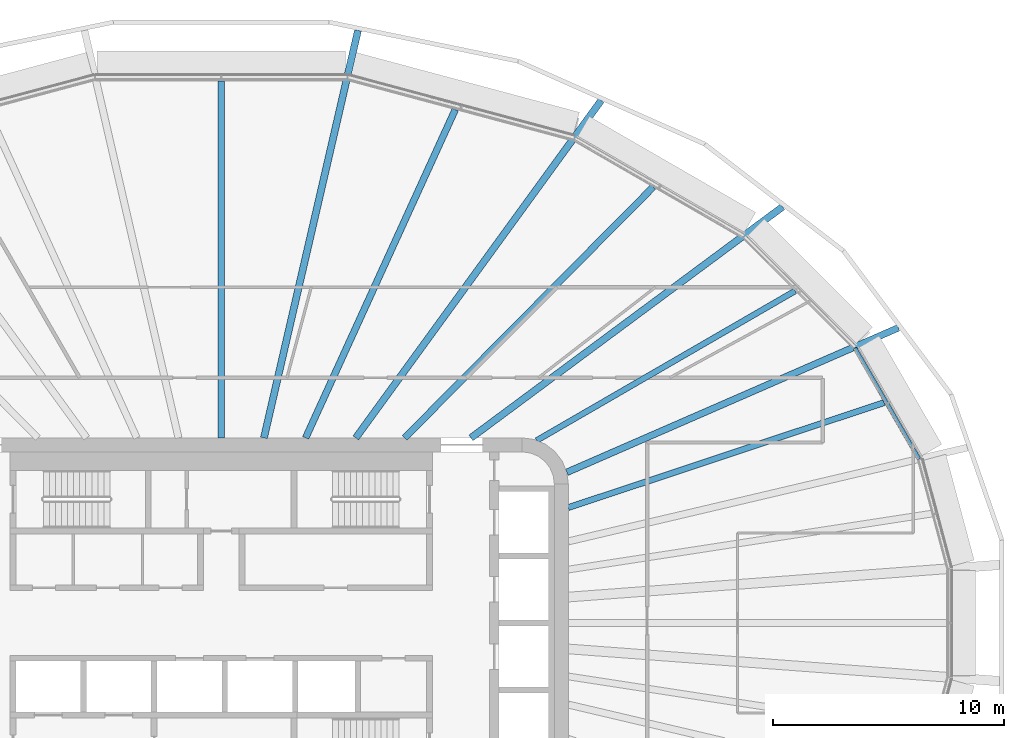
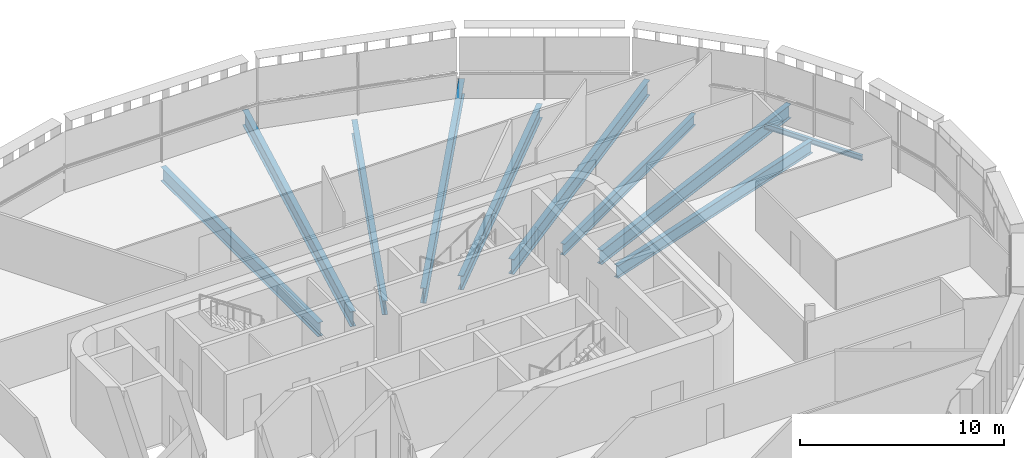
# One storey, part 9 of 25: 10 beams.
"""IFC4 building model written with IfcOpenShell, lengths in metres."""

import ifcopenshell
import ifcopenshell.guid

model = None  # the IFC model being written
_history = None  # IfcOwnerHistory: only IFC2X3 demands one
_inside = {}  # id of a spatial element -> (the spatial element, [elements in it])
_under = {}  # id of a project, library or spatial element -> (it, [spatial elements below it])
_declared = {}  # id of a project -> (the project, [libraries it declares])
_typed = {}  # id of a type object -> (the type object, [elements of that type])
_made_of = {}  # id of a material, layer set ... -> (it, [elements and type objects made of it])


def new_model(schema):
    """Start an empty IFC model of exactly this schema.

    Asked for "IFC4X3", IfcOpenShell would pick the latest addendum, in which some entities
    have other attributes; the version numbers below select the first issue.
    IFC2X3 requires an IfcOwnerHistory on every rooted entity: one is made here for all.
    """
    global model, _history
    if schema == "IFC4X3":
        model = ifcopenshell.file(schema_version=(4, 3, 0, 0))
    else:
        model = ifcopenshell.file(schema=schema)
    _inside.clear()
    _under.clear()
    _declared.clear()
    _typed.clear()
    _made_of.clear()
    _history = None
    if model.schema == "IFC2X3":
        org = make("IfcOrganization", Name="unknown")
        user = make(
            "IfcPersonAndOrganization",
            ThePerson=make("IfcPerson", FamilyName="unknown"),
            TheOrganization=org,
        )
        app = make(
            "IfcApplication",
            ApplicationDeveloper=org,
            Version="unknown",
            ApplicationFullName="unknown",
            ApplicationIdentifier="unknown",
        )
        _history = make(
            "IfcOwnerHistory",
            OwningUser=user,
            OwningApplication=app,
            ChangeAction="ADDED",
            CreationDate=0,
        )
    return model


def make(cls, **values):
    """One entity of the class cls with the attributes given. An attribute that is None is left unset."""
    return model.create_entity(
        cls, **{name: value for name, value in values.items() if value is not None}
    )


def rooted(cls, **values):
    """An entity with a GlobalId (a new one), such as an element, a storey or a relation."""
    return make(cls, GlobalId=ifcopenshell.guid.new(), OwnerHistory=_history, **values)


def si_unit(unit_type, name, prefix=None):
    """IfcSIUnit, for example si_unit("LENGTHUNIT", "METRE", prefix="MILLI")."""
    return make("IfcSIUnit", UnitType=unit_type, Prefix=prefix, Name=name)


def assignment(units):
    """IfcUnitAssignment: the units of a project."""
    return None if units is None else make("IfcUnitAssignment", Units=units)


def point(xyz):
    """IfcCartesianPoint."""
    return None if xyz is None else make("IfcCartesianPoint", Coordinates=xyz)


def direction(xyz):
    """IfcDirection."""
    return None if xyz is None else make("IfcDirection", DirectionRatios=xyz)


def frame(location, z_axis=None, x_axis=None):
    """IfcAxis2Placement3D, a coordinate frame: its origin and axes. An axis left out is left unset."""
    return make(
        "IfcAxis2Placement3D",
        Location=point(location),
        Axis=direction(z_axis),
        RefDirection=direction(x_axis),
    )


def frame_2d(location, x_axis=None):
    """IfcAxis2Placement2D, a coordinate frame in the plane: its origin and x axis."""
    return make(
        "IfcAxis2Placement2D", Location=point(location), RefDirection=direction(x_axis)
    )


def origin():
    """The frame at (0, 0, 0) with its axes left unset."""
    return frame((0.0, 0.0, 0.0))


def origin_2d():
    """The frame at (0, 0) in the plane with its x axis left unset."""
    return frame_2d((0.0, 0.0))


def place(relative_to, where):
    """IfcLocalPlacement: puts the frame where relative to a parent placement (None: the world)."""
    return make(
        "IfcLocalPlacement", PlacementRelTo=relative_to, RelativePlacement=where
    )


def context(
    kind, dimensions, precision=None, world=None, true_north=None, identifier=None
):
    """IfcGeometricRepresentationContext, for example the 3D "Model" context."""
    return make(
        "IfcGeometricRepresentationContext",
        ContextIdentifier=identifier,
        ContextType=kind,
        CoordinateSpaceDimension=dimensions,
        Precision=precision,
        WorldCoordinateSystem=world,
        TrueNorth=true_north,
    )


def subcontext(parent, identifier, kind, view, scale=None):
    """IfcGeometricRepresentationSubContext, for example "Body" below "Model"."""
    return make(
        "IfcGeometricRepresentationSubContext",
        ContextIdentifier=identifier,
        ContextType=kind,
        ParentContext=parent,
        TargetScale=scale,
        TargetView=view,
    )


def project(units=None, contexts=None):
    """IfcProject with its units and contexts."""
    return rooted(
        "IfcProject",
        Name="project",
        RepresentationContexts=contexts,
        UnitsInContext=assignment(units),
    )


def spatial(cls, under=None, at=None, **own):
    """A site, building, storey or space (cls), placed at a placement, below another one or the project."""
    s = rooted(cls, ObjectPlacement=at, **own)
    if under is not None:
        _under.setdefault(under.id(), (under, []))[1].append(s)
    return s


def profile(cls, at=None, kind="AREA", **sizes):
    """A parametric profile (cls). Its sizes go by their IFC names, for example OverallWidth=200.0."""
    return make(cls, ProfileType=kind, Position=at, **sizes)


def i_section(**sizes):
    """IfcIShapeProfileDef."""
    return profile("IfcIShapeProfileDef", **sizes)


def extrude(swept, where, along, depth):
    """IfcExtrudedAreaSolid: the profile swept, set in the frame where, extruded along a direction by depth."""
    return make(
        "IfcExtrudedAreaSolid",
        SweptArea=swept,
        Position=where,
        ExtrudedDirection=direction(along),
        Depth=depth,
    )


def shape(context_of_items, identifier, shape_type, items):
    """IfcShapeRepresentation: the items that make up one representation, for example the "Body"."""
    return make(
        "IfcShapeRepresentation",
        ContextOfItems=context_of_items,
        RepresentationIdentifier=identifier,
        RepresentationType=shape_type,
        Items=items,
    )


def material(Name=None, Category=None):
    """IfcMaterial."""
    return make("IfcMaterial", Name=Name, Category=Category)


def material_profile(
    of_material, cross_section, Name=None, Category=None, Priority=None
):
    """IfcMaterialProfile: a cross section and its material."""
    return make(
        "IfcMaterialProfile",
        Name=Name,
        Material=of_material,
        Profile=cross_section,
        Priority=Priority,
        Category=Category,
    )


def profile_set(profiles, Name=None, composite=None):
    """IfcMaterialProfileSet."""
    return make(
        "IfcMaterialProfileSet",
        Name=Name,
        MaterialProfiles=profiles,
        CompositeProfile=composite,
    )


def made_of(thing, what):
    """Note that an element or type object is made of a material, layer set ...; save() writes the relation."""
    if what is not None:
        _made_of.setdefault(what.id(), (what, []))[1].append(thing)
    return thing


def type_object(cls, material=None, **own):
    """A type object (cls), such as IfcWallType, which elements share."""
    return made_of(rooted(cls, **own), material)


def element(
    cls,
    number,
    at=None,
    inside=None,
    cuts=None,
    type_object=None,
    material=None,
    context=None,
    identifier="Body",
    shape_type=None,
    held_by="IfcProductDefinitionShape",
    body=None,
    shapes=None,
    **own,
):
    """One element of the class cls, such as IfcWall. Its Tag is "e" and its number.

    at: its placement. inside: the storey or other place that contains it. cuts: it is an
    opening in that element (IfcRelVoidsElement). A single representation is given by context,
    identifier, shape_type and body (its items); several are given by shapes. held_by: the class
    of the entity that holds the representations. save() writes the other relations.
    """
    e = rooted(cls, Tag="e%d" % number, ObjectPlacement=at, **own)
    if body is not None:
        shapes = [shape(context, identifier, shape_type, body)]
    if shapes is not None:
        e.Representation = make(held_by, Representations=shapes)
    if inside is not None:
        _inside.setdefault(inside.id(), (inside, []))[1].append(e)
    if cuts is not None:
        rooted(
            "IfcRelVoidsElement", RelatingBuildingElement=cuts, RelatedOpeningElement=e
        )
    if type_object is not None:
        _typed.setdefault(type_object.id(), (type_object, []))[1].append(e)
    return made_of(e, material)


def aggregate(whole, parts):
    """IfcRelAggregates: a whole, such as a stair, and the parts it consists of."""
    return rooted("IfcRelAggregates", RelatingObject=whole, RelatedObjects=parts)


def save(model, path):
    """Write the relations noted so far, then the file.

    IfcRelAggregates (storeys below a building ...), IfcRelContainedInSpatialStructure (elements
    in a storey), IfcRelDefinesByType, IfcRelAssociatesMaterial and IfcRelDeclares: one each for
    every whole, place, type object, material and project.
    """
    for whole, parts in _under.values():
        aggregate(whole, parts)
    for where, things in _inside.values():
        rooted(
            "IfcRelContainedInSpatialStructure",
            RelatedElements=things,
            RelatingStructure=where,
        )
    for kind, things in _typed.values():
        rooted("IfcRelDefinesByType", RelatedObjects=things, RelatingType=kind)
    for what, things in _made_of.values():
        rooted("IfcRelAssociatesMaterial", RelatedObjects=things, RelatingMaterial=what)
    for by, libraries in _declared.values():
        rooted("IfcRelDeclares", RelatingContext=by, RelatedDefinitions=libraries)
    model.write(path)


model = new_model("IFC4")

# Units and contexts
model_context = context("Model", 3, precision=1e-05, world=origin(), true_north=direction((0.0, 1.0)))
body_context = subcontext(model_context, "Body", "Model", "MODEL_VIEW")
ifc_project = project(units=[si_unit("LENGTHUNIT", "METRE"), si_unit("AREAUNIT", "SQUARE_METRE"), si_unit("VOLUMEUNIT", "CUBIC_METRE"), si_unit("PLANEANGLEUNIT", "RADIAN"), si_unit("MASSUNIT", "GRAM", prefix="KILO")], contexts=[model_context])

# Site, building, storey
site_placement = place(None, origin())
site = spatial("IfcSite", under=ifc_project, at=site_placement, CompositionType="ELEMENT")
building_placement = place(site_placement, origin())
building = spatial("IfcBuilding", under=site, at=building_placement, Name="Sahrelin Media Tower", CompositionType="ELEMENT")
storey_placement = place(building_placement, frame((0.0, 0.0, 139.800048828125)))
storey = spatial("IfcBuildingStorey", under=building, at=storey_placement, Name="L28", CompositionType="ELEMENT", Elevation=139.800048828125)

# Beams
ifc_material = material(Name="Steel S355", Category="steel")
ifc_material_profile_1 = material_profile(ifc_material, i_section(OverallWidth=0.1650390625, OverallDepth=0.303466796875, WebThickness=0.006103515625, FlangeThickness=0.01025390625, FilletRadius=0.0087890625, at=origin_2d()), Name="UB 305x165x40")
ifc_profile_set_1 = profile_set([ifc_material_profile_1], Name="Steel S355")
beam_type_1 = type_object("IfcBeamType", Name="Edge beam EB2", PredefinedType="BEAM", material=ifc_profile_set_1)
beam_1_placement = place(storey_placement, frame((27.382080078125, 11.880615234375, -0.3017578125), z_axis=(0.500036242679, -0.866004478053, 0.0), x_axis=(0.866004478053, 0.500036242679, 0.0)))
element("IfcBeam", 1, at=beam_1_placement, inside=storey, type_object=beam_type_1, Name="Edge beam L28-23", PredefinedType="BEAM", context=body_context, shape_type="SweptSolid", body=[
    extrude(i_section(OverallWidth=0.1650390625, OverallDepth=0.303466796875, WebThickness=0.006103515625, FlangeThickness=0.01025390625, FilletRadius=0.0087890625, at=origin_2d()), origin(), (0.0, 0.0, 1.0), 5.544921875),
])
ifc_material_profile_2 = material_profile(ifc_material, i_section(OverallWidth=0.291748046875, OverallDepth=0.8349609375, WebThickness=0.013916015625, FlangeThickness=0.018798828125, FilletRadius=0.017822265625, at=origin_2d()), Name="UB 838x292x176")
ifc_profile_set_2 = profile_set([ifc_material_profile_2], Name="Steel S355")
beam_type_2 = type_object("IfcBeamType", Name="Radial primary beam PB10", PredefinedType="BEAM", material=ifc_profile_set_2)
beam_2_placement = place(storey_placement, frame((14.93310546875, 6.509521484375, -0.5673828125), z_axis=(0.916689949719, 0.399599219324, 0.0), x_axis=(-0.399599219324, 0.916689949719, 0.0)))
element("IfcBeam", 2, at=beam_2_placement, inside=storey, type_object=beam_type_2, Name="Radial beam L28-03", PredefinedType="BEAM", context=body_context, shape_type="SweptSolid", body=[
    extrude(i_section(OverallWidth=0.291748046875, OverallDepth=0.8349609375, WebThickness=0.013916015625, FlangeThickness=0.018798828125, FilletRadius=0.017822265625, at=origin_2d()), origin(), (0.0, 0.0, 1.0), 15.63037109375),
])
ifc_material_profile_3 = material_profile(ifc_material, i_section(OverallWidth=0.30322265625, OverallDepth=0.903076171875, WebThickness=0.01513671875, FlangeThickness=0.020263671875, FilletRadius=0.01904296875, at=origin_2d()), Name="UB 914x305x201")
ifc_profile_set_3 = profile_set([ifc_material_profile_3], Name="Steel S355")
beam_type_3 = type_object("IfcBeamType", Name="Radial primary beam PB11", PredefinedType="BEAM", material=ifc_profile_set_3)
beam_3_placement = place(storey_placement, frame((10.791015625, 8.0, -0.6015625), z_axis=(0.803313092893, 0.59555694504, 0.0), x_axis=(-0.59555694504, 0.803313092893, 0.0)))
element("IfcBeam", 3, at=beam_3_placement, inside=storey, type_object=beam_type_3, Name="Radial beam L28-04", PredefinedType="BEAM", context=body_context, shape_type="SweptSolid", body=[
    extrude(i_section(OverallWidth=0.30322265625, OverallDepth=0.903076171875, WebThickness=0.01513671875, FlangeThickness=0.020263671875, FilletRadius=0.01904296875, at=origin_2d()), origin(), (0.0, 0.0, 1.0), 16.765625),
])
beam_4_placement = place(storey_placement, frame((5.81591796875, 8.0, -0.6015625), z_axis=(0.588033974644, 0.80883622858, 0.0), x_axis=(-0.80883622858, 0.588033974644, 0.0)))
element("IfcBeam", 4, at=beam_4_placement, inside=storey, type_object=beam_type_3, Name="Radial beam L28-05", PredefinedType="BEAM", context=body_context, shape_type="SweptSolid", body=[
    extrude(i_section(OverallWidth=0.30322265625, OverallDepth=0.903076171875, WebThickness=0.01513671875, FlangeThickness=0.020263671875, FilletRadius=0.01904296875, at=origin_2d()), origin(), (0.0, 0.0, 1.0), 18.025146484375),
])
beam_5_placement = place(storey_placement, frame((1.846435546875, 8.0, -0.6015625), z_axis=(0.224893056719, 0.974383452774, 0.0), x_axis=(-0.974383452774, 0.224893056719, 0.0)))
element("IfcBeam", 5, at=beam_5_placement, inside=storey, type_object=beam_type_3, Name="Radial beam L28-06", PredefinedType="BEAM", context=body_context, shape_type="SweptSolid", body=[
    extrude(i_section(OverallWidth=0.30322265625, OverallDepth=0.903076171875, WebThickness=0.01513671875, FlangeThickness=0.020263671875, FilletRadius=0.01904296875, at=origin_2d()), origin(), (0.0, 0.0, 1.0), 18.069580078125),
])
ifc_material_profile_4 = material_profile(ifc_material, i_section(OverallWidth=0.291748046875, OverallDepth=0.8349609375, WebThickness=0.013916015625, FlangeThickness=0.018798828125, FilletRadius=0.017822265625, at=origin_2d()), Name="UB 838x292x176")
ifc_profile_set_4 = profile_set([ifc_material_profile_4], Name="Steel S355")
beam_type_4 = type_object("IfcBeamType", Name="Radial secondary beam SB10", PredefinedType="BEAM", material=ifc_profile_set_4)
beam_6_placement = place(storey_placement, frame((7.92578125, 8.0, -0.5673828125), z_axis=(0.703794822352, 0.710403299563, 0.0), x_axis=(-0.710403299563, 0.703794822352, 0.0)))
element("IfcBeam", 6, at=beam_6_placement, inside=storey, type_object=beam_type_4, Name="Secondary beam L28-04", PredefinedType="BEAM", context=body_context, shape_type="SweptSolid", body=[
    extrude(i_section(OverallWidth=0.291748046875, OverallDepth=0.8349609375, WebThickness=0.013916015625, FlangeThickness=0.018798828125, FilletRadius=0.017822265625, at=origin_2d()), origin(), (0.0, 0.0, 1.0), 15.257568359375),
])
beam_7_placement = place(storey_placement, frame((3.64697265625, 8.0, -0.5673828125), z_axis=(0.414807797457, 0.909909056538, 0.0), x_axis=(-0.909909056538, 0.414807797457, 0.0)))
element("IfcBeam", 7, at=beam_7_placement, inside=storey, type_object=beam_type_4, Name="Secondary beam L28-05", PredefinedType="BEAM", context=body_context, shape_type="SweptSolid", body=[
    extrude(i_section(OverallWidth=0.291748046875, OverallDepth=0.8349609375, WebThickness=0.013916015625, FlangeThickness=0.018798828125, FilletRadius=0.017822265625, at=origin_2d()), origin(), (0.0, 0.0, 1.0), 15.59228515625),
])
beam_8_placement = place(storey_placement, frame((0.0, 8.0, -0.5673828125), z_axis=(0.0, 1.0, 0.0), x_axis=(-1.0, 0.0, 0.0)))
element("IfcBeam", 8, at=beam_8_placement, inside=storey, type_object=beam_type_4, Name="Secondary beam L28-06", PredefinedType="BEAM", context=body_context, shape_type="SweptSolid", body=[
    extrude(i_section(OverallWidth=0.291748046875, OverallDepth=0.8349609375, WebThickness=0.013916015625, FlangeThickness=0.018798828125, FilletRadius=0.017822265625, at=origin_2d()), origin(), (0.0, 0.0, 1.0), 15.431884765625),
])
ifc_material_profile_5 = material_profile(ifc_material, i_section(OverallWidth=0.2529296875, OverallDepth=0.677978515625, WebThickness=0.01171875, FlangeThickness=0.01611328125, FilletRadius=0.01513671875, at=origin_2d()), Name="UB 686x254x125")
ifc_profile_set_5 = profile_set([ifc_material_profile_5], Name="Steel S355")
beam_type_5 = type_object("IfcBeamType", Name="Radial secondary beam SB8", PredefinedType="BEAM", material=ifc_profile_set_5)
beam_9_placement = place(storey_placement, frame((13.62939453125, 7.885498046875, -0.489013671875), z_axis=(0.865569164292, 0.500789398676, 0.0), x_axis=(-0.500789398676, 0.865569164292, 0.0)))
element("IfcBeam", 9, at=beam_9_placement, inside=storey, type_object=beam_type_5, Name="Secondary beam L28-03", PredefinedType="BEAM", context=body_context, shape_type="SweptSolid", body=[
    extrude(i_section(OverallWidth=0.2529296875, OverallDepth=0.677978515625, WebThickness=0.01171875, FlangeThickness=0.01611328125, FilletRadius=0.01513671875, at=origin_2d()), origin(), (0.0, 0.0, 1.0), 12.904541015625),
])
ifc_material_profile_6 = material_profile(ifc_material, i_section(OverallWidth=0.26513671875, OverallDepth=0.75390625, WebThickness=0.0126953125, FlangeThickness=0.017578125, FilletRadius=0.0166015625, at=origin_2d()), Name="UB 762x267x147")
ifc_profile_set_6 = profile_set([ifc_material_profile_6], Name="Steel S355")
beam_type_6 = type_object("IfcBeamType", Name="Radial secondary beam SB9", PredefinedType="BEAM", material=ifc_profile_set_6)
beam_10_placement = place(storey_placement, frame((15.0, 4.9873046875, -0.527099609375), z_axis=(0.948922383089, 0.315509605039, 0.0), x_axis=(-0.315509605039, 0.948922383089, 0.0)))
element("IfcBeam", 10, at=beam_10_placement, inside=storey, type_object=beam_type_6, Name="Secondary beam L28-02", PredefinedType="BEAM", context=body_context, shape_type="SweptSolid", body=[
    extrude(i_section(OverallWidth=0.26513671875, OverallDepth=0.75390625, WebThickness=0.0126953125, FlangeThickness=0.017578125, FilletRadius=0.0166015625, at=origin_2d()), origin(), (0.0, 0.0, 1.0), 14.3818359375),
])

save(model, "model.ifc")
